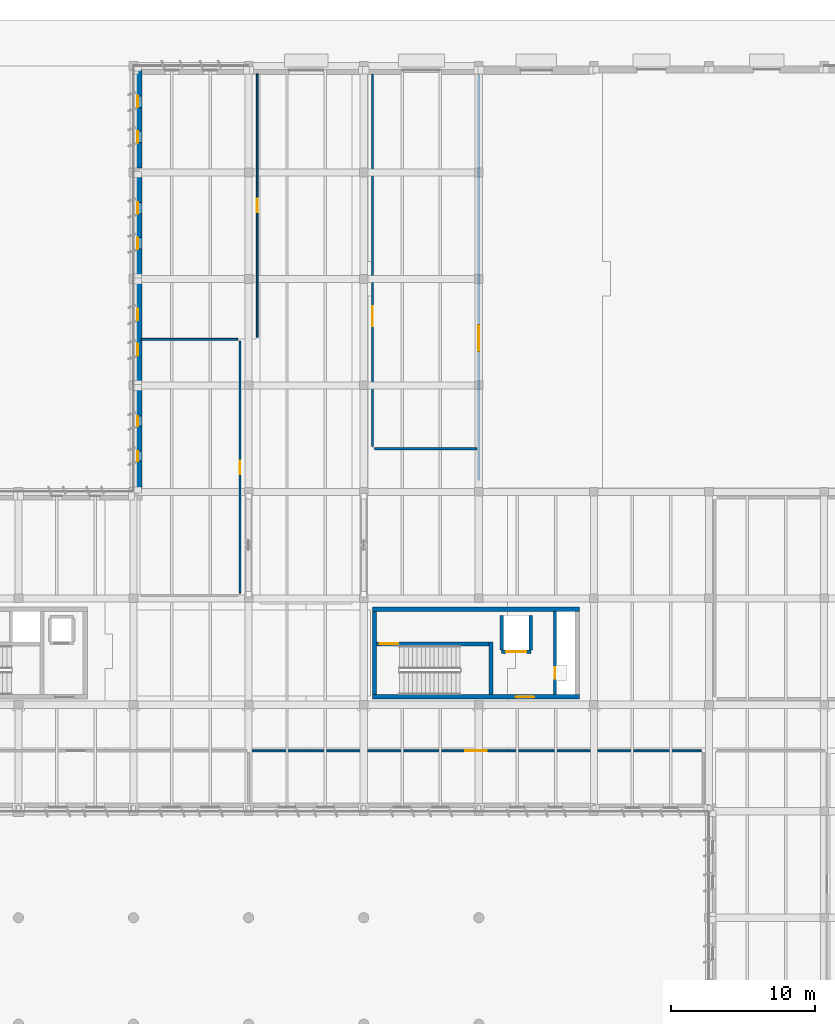
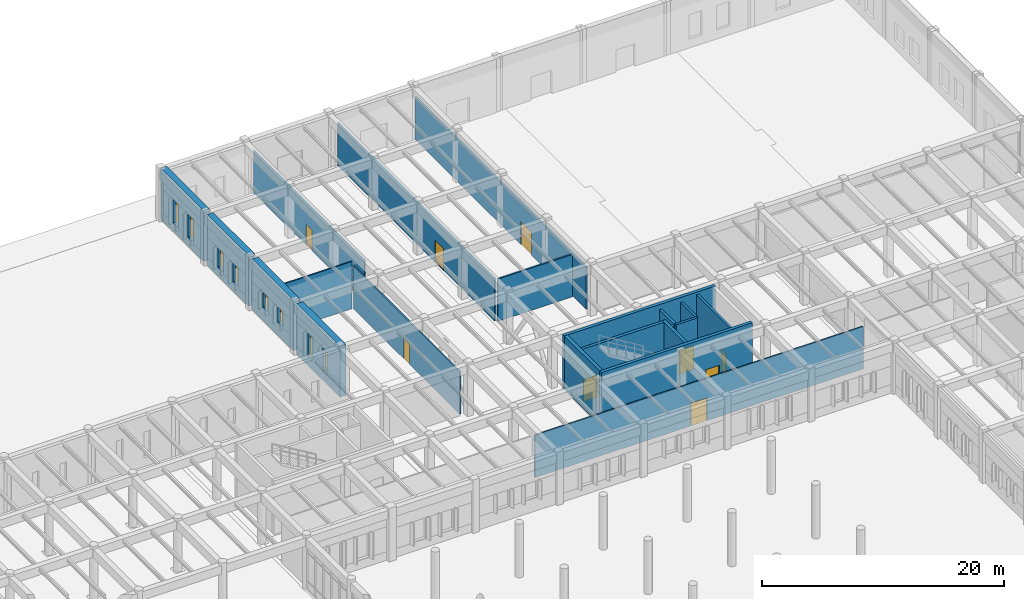
# One storey, part 26 of 56: 20 walls, 9 doors, 8 windows, 17 openings.
"""IFC4 building model written with IfcOpenShell, lengths in metres."""

from ifc_helpers import new_model, si_unit, direction, frame, frame_2d, origin, place, context, subcontext, project, spatial, rectangle, extrude, material, layer, layer_set, type_object, element, fill, save


model = new_model("IFC4")

# Units and contexts
model_context = context("Model", 3, precision=1e-05, world=origin(), true_north=direction((0.0, 1.0)))
body_context = subcontext(model_context, "Body", "Model", "MODEL_VIEW")
ifc_project = project(units=[si_unit("LENGTHUNIT", "METRE"), si_unit("AREAUNIT", "SQUARE_METRE"), si_unit("VOLUMEUNIT", "CUBIC_METRE"), si_unit("PLANEANGLEUNIT", "RADIAN"), si_unit("MASSUNIT", "GRAM", prefix="KILO")], contexts=[model_context])

# Site, building, storey
site_placement = place(None, origin())
site = spatial("IfcSite", under=ifc_project, at=site_placement, CompositionType="ELEMENT")
building_placement = place(site_placement, origin())
building = spatial("IfcBuilding", under=site, at=building_placement, Name="Valkorina Park Police Headquarters", CompositionType="ELEMENT")
storey_placement = place(building_placement, origin())
storey = spatial("IfcBuildingStorey", under=building, at=storey_placement, Name="L01", CompositionType="ELEMENT", Elevation=0.0)

# Wall
ifc_material_1 = material(Name="Acoustic mineral board")
ifc_layer_1 = layer(ifc_material_1, 0.14990234375)
ifc_layer_set_1 = layer_set([ifc_layer_1], Name="Acoustic mineral board")
wall_type_1 = type_object("IfcWallType", Name="WL-ACOUST-150-EI30", PredefinedType="PARTITIONING", material=ifc_layer_set_1)
wall_1_placement = place(storey_placement, frame((113.5400390625, 84.39990234375, 0.0), z_axis=(0.0, 0.0, 1.0), x_axis=(1.0, 0.0, 0.0)))
element("IfcWall", 1, at=wall_1_placement, inside=storey, type_object=wall_type_1, Name="L01 Interior Partition 0091 (L01-GYM-02)", PredefinedType="PARTITIONING", context=body_context, shape_type="SweptSolid", body=[
    extrude(rectangle(XDim=7.119873046875, YDim=0.14990234375, at=frame_2d((3.56005859375, 0.0))), origin(), (0.0, 0.0, 1.0), 4.27001953125),
])

# Wall, opening, door
wall_2_placement = place(storey_placement, frame((113.39990234375, 84.5400390625, 0.0), z_axis=(0.0, 0.0, 1.0), x_axis=(0.0, 1.0, 0.0)))
wall_2 = element("IfcWall", 2, at=wall_2_placement, inside=storey, type_object=wall_type_1, Name="L01 Interior Partition 0092 (L01-GYM-02)", PredefinedType="PARTITIONING", context=body_context, shape_type="SweptSolid", body=[
    extrude(rectangle(XDim=25.919921875, YDim=0.14990234375, at=frame_2d((12.9599609375, 0.0))), origin(), (0.0, 0.0, 1.0), 4.27001953125),
])
opening_1_placement = place(wall_2_placement, frame((8.3720703125, 0.0, 0.0)))
opening_1 = element("IfcOpeningElement", 3, at=opening_1_placement, cuts=wall_2, Name="Opening ID-07", PredefinedType="OPENING", context=body_context, shape_type="SweptSolid", body=[
    extrude(rectangle(XDim=1.39990234375, YDim=2.199951171875, at=frame_2d((0.699951171875, 1.10009765625))), frame((0.0, 0.0849609375, 0.0), z_axis=(0.0, -1.0, 0.0), x_axis=(1.0, 0.0, 0.0)), (0.0, 0.0, 1.0), 0.169921875),
])
ifc_material_2 = material(Name="Thermally broken aluminium AW-6060", Category="aluminium")
ifc_layer_2 = layer(ifc_material_2, 0.050048828125)
ifc_layer_set_2 = layer_set([ifc_layer_2], Name="Thermally broken aluminium AW-6060")
door_type_1 = type_object("IfcDoorType", Name="DR-INT-CONF-1400x2200", OperationType="NOTDEFINED", PredefinedType="DOOR", material=ifc_layer_set_2)
door_1_placement = place(opening_1_placement, origin())
door_1 = element("IfcDoor", 4, at=door_1_placement, inside=storey, type_object=door_type_1, Name="Door D-L01-I042 (L01-GYM-02)", OperationType="SINGLE_SWING_LEFT", OverallHeight=2.199951171875, OverallWidth=1.39990234375, PredefinedType="DOOR", context=body_context, shape_type="SweptSolid", body=[
    extrude(rectangle(XDim=1.39990234375, YDim=2.199951171875, at=frame_2d((0.699951171875, 1.10009765625))), frame((0.0, 0.02490234375, 0.0), z_axis=(0.0, -1.0, 0.0), x_axis=(1.0, 0.0, 0.0)), (0.0, 0.0, 1.0), 0.050048828125),
])
fill(opening_1, door_1)

ifc_layer_3 = layer(ifc_material_1, 0.175048828125)
ifc_layer_set_3 = layer_set([ifc_layer_3], Name="Acoustic mineral board")
wall_type_2 = type_object("IfcWallType", Name="WL-BRIEF-175-EI60", PredefinedType="PARTITIONING", material=ifc_layer_set_3)
wall_3_placement = place(storey_placement, frame((120.800048828125, 82.18994140625, 0.0), z_axis=(0.0, 0.0, 1.0), x_axis=(0.0, 1.0, 0.0)))
wall_3 = element("IfcWall", 5, at=wall_3_placement, inside=storey, type_object=wall_type_2, Name="L01 Interior Partition 0090 (L01-GYM-01)", PredefinedType="PARTITIONING", context=body_context, shape_type="SweptSolid", body=[
    extrude(rectangle(XDim=28.27001953125, YDim=0.175048828125, at=frame_2d((14.135009765625, 0.0))), origin(), (0.0, 0.0, 1.0), 4.27001953125),
])
opening_2_placement = place(wall_3_placement, frame((8.994384765625, 0.0, 0.0)))
opening_2 = element("IfcOpeningElement", 6, at=opening_2_placement, cuts=wall_3, Name="Opening ID-09", PredefinedType="OPENING", context=body_context, shape_type="SweptSolid", body=[
    extrude(rectangle(XDim=1.800048828125, YDim=2.300048828125, at=frame_2d((0.89990234375, 1.14990234375))), frame((0.0, 0.09765625, 0.0), z_axis=(0.0, -1.0, 0.0), x_axis=(1.0, 0.0, 0.0)), (0.0, 0.0, 1.0), 0.195068359375),
])
ifc_layer_4 = layer(ifc_material_2, 0.050048828125)
ifc_layer_set_4 = layer_set([ifc_layer_4], Name="Thermally broken aluminium AW-6060")
door_type_2 = type_object("IfcDoorType", Name="DR-INT-AUD-1800x2300", OperationType="NOTDEFINED", PredefinedType="DOOR", material=ifc_layer_set_4)
door_2_placement = place(opening_2_placement, origin())
door_2 = element("IfcDoor", 7, at=door_2_placement, inside=storey, type_object=door_type_2, Name="Door D-L01-I041 (L01-GYM-01)", OperationType="DOUBLE_DOOR_SINGLE_SWING", OverallHeight=2.300048828125, OverallWidth=1.800048828125, PredefinedType="DOOR", context=body_context, shape_type="SweptSolid", body=[
    extrude(rectangle(XDim=1.800048828125, YDim=2.300048828125, at=frame_2d((0.89990234375, 1.14990234375))), frame((0.0, 0.02490234375, 0.0), z_axis=(0.0, -1.0, 0.0), x_axis=(1.0, 0.0, 0.0)), (0.0, 0.0, 1.0), 0.050048828125),
])
fill(opening_2, door_2)

ifc_material_3 = material(Name="Autoclaved aerated concrete masonry", Category="masonry")
ifc_layer_5 = layer(ifc_material_3, 0.219970703125)
ifc_layer_set_5 = layer_set([ifc_layer_5], Name="Autoclaved aerated concrete masonry")
wall_type_3 = type_object("IfcWallType", Name="WL-CHASE-220-EI60", PredefinedType="PLUMBINGWALL", material=ifc_layer_set_5)
wall_4_placement = place(storey_placement, frame((122.389892578125, 70.2900390625, 0.0), z_axis=(0.0, 0.0, 1.0), x_axis=(1.0, 0.0, 0.0)))
wall_4 = element("IfcWall", 8, at=wall_4_placement, inside=storey, type_object=wall_type_3, Name="Lift LF-07 L01 Shaft Front Wall", PredefinedType="PLUMBINGWALL", context=body_context, shape_type="SweptSolid", body=[
    extrude(rectangle(XDim=2.02001953125, YDim=0.219970703125, at=frame_2d((1.010009765625, 0.0))), origin(), (0.0, 0.0, 1.0), 5.139892578125),
])
opening_3_placement = place(wall_4_placement, frame((0.31005859375, 0.0, 0.0)))
opening_3 = element("IfcOpeningElement", 9, at=opening_3_placement, cuts=wall_4, Name="Opening LD-04", PredefinedType="OPENING", context=body_context, shape_type="SweptSolid", body=[
    extrude(rectangle(XDim=1.39990234375, YDim=2.39990234375, at=frame_2d((0.699951171875, 1.199951171875))), frame((0.0, 0.1201171875, 0.0), z_axis=(0.0, -1.0, 0.0), x_axis=(1.0, 0.0, 0.0)), (0.0, 0.0, 1.0), 0.239990234375),
])
ifc_material_4 = material(Name="Stainless steel EN 1.4404", Category="steel")
ifc_layer_6 = layer(ifc_material_4, 0.050048828125)
ifc_layer_set_6 = layer_set([ifc_layer_6], Name="Stainless steel EN 1.4404")
door_type_3 = type_object("IfcDoorType", Name="DR-LIFT-GOODS-1400x2400", OperationType="NOTDEFINED", PredefinedType="DOOR", material=ifc_layer_set_6)
door_3_placement = place(opening_3_placement, origin())
door_3 = element("IfcDoor", 10, at=door_3_placement, inside=storey, type_object=door_type_3, Name="Lift Landing Door LF-07-L01", OperationType="DOUBLE_DOOR_SLIDING", OverallHeight=2.39990234375, OverallWidth=1.39990234375, PredefinedType="DOOR", context=body_context, shape_type="SweptSolid", body=[
    extrude(rectangle(XDim=1.39990234375, YDim=2.39990234375, at=frame_2d((0.699951171875, 1.199951171875))), frame((0.0, 0.02490234375, 0.0), z_axis=(0.0, -1.0, 0.0), x_axis=(1.0, 0.0, 0.0)), (0.0, 0.0, 1.0), 0.050048828125),
])
fill(opening_3, door_3)

# Walls
for number, where, z_axis, x_axis, name in (
    (11, (122.389892578125, 70.39990234375, 0.0), (0.0, 0.0, 1.0), (0.0, 1.0, 0.0), "Lift LF-07 L01 Shaft Side Wall W"),
    (12, (124.409912109375, 70.39990234375, 0.0), (0.0, 0.0, 1.0), (0.0, 1.0, 0.0), "Lift LF-07 L01 Shaft Side Wall E"),
):
    element("IfcWall", number, at=place(storey_placement, frame(where, z_axis=z_axis, x_axis=x_axis)), inside=storey, type_object=wall_type_3, Name=name, PredefinedType="PLUMBINGWALL", context=body_context, shape_type="SweptSolid", body=[
        extrude(rectangle(XDim=2.400146484375, YDim=0.219970703125, at=frame_2d((1.2001953125, 0.0))), origin(), (0.0, 0.0, 1.0), 5.139892578125),
    ])

# Wall, opening, door
wall_5_placement = place(storey_placement, frame((126.090087890625, 67.300048828125, 0.0), z_axis=(0.0, 0.0, 1.0), x_axis=(0.0, 1.0, 0.0)))
wall_5 = element("IfcWall", 13, at=wall_5_placement, inside=storey, type_object=wall_type_3, Name="Core C5 L01 Riser Shaft West Wall", PredefinedType="PLUMBINGWALL", context=body_context, shape_type="SweptSolid", body=[
    extrude(rectangle(XDim=5.800048828125, YDim=0.219970703125, at=frame_2d((2.89990234375, 0.0))), origin(), (0.0, 0.0, 1.0), 5.139892578125),
])
opening_4_placement = place(wall_5_placement, frame((1.10009765625, 0.0, 0.0)))
opening_4 = element("IfcOpeningElement", 14, at=opening_4_placement, cuts=wall_5, Name="Opening ID-01", PredefinedType="OPENING", context=body_context, shape_type="SweptSolid", body=[
    extrude(rectangle(XDim=0.800048828125, YDim=2.10009765625, at=frame_2d((0.39990234375, 1.050048828125))), frame((0.0, 0.1201171875, 0.0), z_axis=(0.0, -1.0, 0.0), x_axis=(1.0, 0.0, 0.0)), (0.0, 0.0, 1.0), 0.239990234375),
])
ifc_material_5 = material(Name="Galvanized steel door leaf", Category="steel")
ifc_layer_7 = layer(ifc_material_5, 0.050048828125)
ifc_layer_set_7 = layer_set([ifc_layer_7], Name="Galvanized steel door leaf")
door_type_4 = type_object("IfcDoorType", Name="DR-INT-RISER-800x2100", OperationType="NOTDEFINED", PredefinedType="DOOR", material=ifc_layer_set_7)
door_4_placement = place(opening_4_placement, origin())
door_4 = element("IfcDoor", 15, at=door_4_placement, inside=storey, type_object=door_type_4, Name="Riser Shaft Access Door C5-L01", OperationType="SINGLE_SWING_RIGHT", OverallHeight=2.10009765625, OverallWidth=0.800048828125, PredefinedType="DOOR", context=body_context, shape_type="SweptSolid", body=[
    extrude(rectangle(XDim=0.800048828125, YDim=2.10009765625, at=frame_2d((0.39990234375, 1.050048828125))), frame((0.0, 0.02490234375, 0.0), z_axis=(0.0, -1.0, 0.0), x_axis=(1.0, 0.0, 0.0)), (0.0, 0.0, 1.0), 0.050048828125),
])
fill(opening_4, door_4)

ifc_material_6 = material(Name="Concrete C40/50", Category="concrete")
ifc_layer_8 = layer(ifc_material_6, 0.300048828125)
ifc_layer_set_8 = layer_set([ifc_layer_8], Name="Concrete C40/50")
wall_type_4 = type_object("IfcWallType", Name="WL-CORE-300-REI120", PredefinedType="SHEAR", material=ifc_layer_set_8)
wall_6_placement = place(storey_placement, frame((113.39990234375, 67.14990234375, 0.0), z_axis=(0.0, 0.0, 1.0), x_axis=(1.0, 0.0, 0.0)))
wall_6 = element("IfcWall", 16, at=wall_6_placement, inside=storey, type_object=wall_type_4, Name="Core C5 L01 Shear Wall S", PredefinedType="SHEAR", context=body_context, shape_type="SweptSolid", body=[
    extrude(rectangle(XDim=14.400146484375, YDim=0.300048828125, at=frame_2d((7.2001953125, 0.0))), origin(), (0.0, 0.0, 1.0), 5.39501953125),
])
opening_5_placement = place(wall_6_placement, frame((9.949951171875, 0.0, 0.0)))
opening_5 = element("IfcOpeningElement", 17, at=opening_5_placement, cuts=wall_6, Name="Opening FD-03", PredefinedType="OPENING", context=body_context, shape_type="SweptSolid", body=[
    extrude(rectangle(XDim=1.300048828125, YDim=2.199951171875, at=frame_2d((0.64990234375, 1.10009765625))), frame((0.0, 0.16015625, 0.0), z_axis=(0.0, -1.0, 0.0), x_axis=(1.0, 0.0, 0.0)), (0.0, 0.0, 1.0), 0.320068359375),
])
ifc_layer_9 = layer(ifc_material_5, 0.050048828125)
ifc_layer_set_9 = layer_set([ifc_layer_9], Name="Galvanized steel door leaf")
door_type_5 = type_object("IfcDoorType", Name="DR-FIRE-STAIR-1300x2200", OperationType="NOTDEFINED", PredefinedType="DOOR", material=ifc_layer_set_9)
door_5_placement = place(opening_5_placement, origin())
door_5 = element("IfcDoor", 18, at=door_5_placement, inside=storey, type_object=door_type_5, Name="Door D-L01-LBY-C5 (Core C5 Lobby Fire Door)", OperationType="SINGLE_SWING_LEFT", OverallHeight=2.199951171875, OverallWidth=1.300048828125, PredefinedType="DOOR", context=body_context, shape_type="SweptSolid", body=[
    extrude(rectangle(XDim=1.300048828125, YDim=2.199951171875, at=frame_2d((0.64990234375, 1.10009765625))), frame((0.0, 0.02490234375, 0.0), z_axis=(0.0, -1.0, 0.0), x_axis=(1.0, 0.0, 0.0)), (0.0, 0.0, 1.0), 0.050048828125),
])
fill(opening_5, door_5)

# Walls
wall_7_placement = place(storey_placement, frame((113.39990234375, 73.25, 0.0), z_axis=(0.0, 0.0, 1.0), x_axis=(1.0, 0.0, 0.0)))
element("IfcWall", 19, at=wall_7_placement, inside=storey, type_object=wall_type_4, Name="Core C5 L01 Shear Wall N", PredefinedType="SHEAR", context=body_context, shape_type="SweptSolid", body=[
    extrude(rectangle(XDim=14.400146484375, YDim=0.300048828125, at=frame_2d((7.2001953125, 0.0))), origin(), (0.0, 0.0, 1.0), 5.39501953125),
])
wall_8_placement = place(storey_placement, frame((113.550048828125, 67.300048828125, 0.0), z_axis=(0.0, 0.0, 1.0), x_axis=(0.0, 1.0, 0.0)))
element("IfcWall", 20, at=wall_8_placement, inside=storey, type_object=wall_type_4, Name="Core C5 L01 Shear Wall W", PredefinedType="SHEAR", context=body_context, shape_type="SweptSolid", body=[
    extrude(rectangle(XDim=5.800048828125, YDim=0.300048828125, at=frame_2d((2.89990234375, 0.0))), origin(), (0.0, 0.0, 1.0), 5.39501953125),
])

# Wall, openings, windows
ifc_material_7 = material(Name="Concrete C35/45", Category="concrete")
ifc_layer_10 = layer(ifc_material_7, 0.580078125)
ifc_layer_set_10 = layer_set([ifc_layer_10], Name="Concrete C35/45")
wall_type_5 = type_object("IfcWallType", Name="WL-EXT-BOARD-580", PredefinedType="STANDARD", material=ifc_layer_set_10)
wall_9_placement = place(storey_placement, frame((97.090087890625, 81.39990234375, 0.0), z_axis=(0.0, 0.0, 1.0), x_axis=(0.0, 1.0, 0.0)))
wall_9 = element("IfcWall", 21, at=wall_9_placement, inside=storey, type_object=wall_type_5, Name="L01 Architectural Concrete Exterior Wall 0040", PredefinedType="STANDARD", context=body_context, shape_type="SweptSolid", body=[
    extrude(rectangle(XDim=7.090087890625, YDim=0.580078125, at=frame_2d((3.544921875, 0.0))), origin(), (0.0, 0.0, 1.0), 5.139892578125),
])
opening_6_placement = place(wall_9_placement, frame((2.129638671875, 0.0, 0.89990234375)))
opening_6 = element("IfcOpeningElement", 22, at=opening_6_placement, cuts=wall_9, Name="Opening WN-09", PredefinedType="OPENING", context=body_context, shape_type="SweptSolid", body=[
    extrude(rectangle(XDim=0.699951171875, YDim=2.39990234375, at=frame_2d((0.35009765625, 1.199951171875))), frame((0.0, 0.300048828125, 0.0), z_axis=(0.0, -1.0, 0.0), x_axis=(1.0, 0.0, 0.0)), (0.0, 0.0, 1.0), 0.60009765625),
])
opening_7_placement = place(wall_9_placement, frame((4.5703125, 0.0, 0.89990234375)))
opening_7 = element("IfcOpeningElement", 23, at=opening_7_placement, cuts=wall_9, Name="Opening WN-09", PredefinedType="OPENING", context=body_context, shape_type="SweptSolid", body=[
    extrude(rectangle(XDim=0.699951171875, YDim=2.39990234375, at=frame_2d((0.35009765625, 1.199951171875))), frame((0.0, 0.300048828125, 0.0), z_axis=(0.0, -1.0, 0.0), x_axis=(1.0, 0.0, 0.0)), (0.0, 0.0, 1.0), 0.60009765625),
])
ifc_material_8 = material(Name="Triple low-E insulated glazing", Category="glass")
ifc_layer_11 = layer(ifc_material_8, 0.06005859375)
ifc_layer_set_11 = layer_set([ifc_layer_11], Name="Triple low-E insulated glazing")
window_type_1 = type_object("IfcWindowType", Name="WN-SLOT-700x2400", PartitioningType="SINGLE_PANEL", PredefinedType="WINDOW", material=ifc_layer_set_11)
window_1_placement = place(opening_6_placement, origin())
window_1 = element("IfcWindow", 24, at=window_1_placement, inside=storey, type_object=window_type_1, Name="Window L01-0069", OverallHeight=2.39990234375, OverallWidth=0.699951171875, PartitioningType="SINGLE_PANEL", PredefinedType="WINDOW", context=body_context, shape_type="SweptSolid", body=[
    extrude(rectangle(XDim=0.699951171875, YDim=2.39990234375, at=frame_2d((0.35009765625, 1.199951171875))), frame((0.0, 0.030029296875, 0.0), z_axis=(0.0, -1.0, 0.0), x_axis=(1.0, 0.0, 0.0)), (0.0, 0.0, 1.0), 0.06005859375),
])
fill(opening_6, window_1)
window_2_placement = place(opening_7_placement, origin())
window_2 = element("IfcWindow", 25, at=window_2_placement, inside=storey, type_object=window_type_1, Name="Window L01-0070", OverallHeight=2.39990234375, OverallWidth=0.699951171875, PartitioningType="SINGLE_PANEL", PredefinedType="WINDOW", context=body_context, shape_type="SweptSolid", body=[
    extrude(rectangle(XDim=0.699951171875, YDim=2.39990234375, at=frame_2d((0.35009765625, 1.199951171875))), frame((0.0, 0.030029296875, 0.0), z_axis=(0.0, -1.0, 0.0), x_axis=(1.0, 0.0, 0.0)), (0.0, 0.0, 1.0), 0.06005859375),
])
fill(opening_7, window_2)

wall_10_placement = place(storey_placement, frame((97.090087890625, 89.110107421875, 0.0), z_axis=(0.0, 0.0, 1.0), x_axis=(0.0, 1.0, 0.0)))
wall_10 = element("IfcWall", 26, at=wall_10_placement, inside=storey, type_object=wall_type_5, Name="L01 Architectural Concrete Exterior Wall 0041", PredefinedType="STANDARD", context=body_context, shape_type="SweptSolid", body=[
    extrude(rectangle(XDim=6.77978515625, YDim=0.580078125, at=frame_2d((3.389892578125, 0.0))), origin(), (0.0, 0.0, 1.0), 5.139892578125),
])
opening_8_placement = place(wall_10_placement, frame((1.76953125, 0.0, 1.35009765625)))
opening_8 = element("IfcOpeningElement", 27, at=opening_8_placement, cuts=wall_10, Name="Opening WN-10", PredefinedType="OPENING", context=body_context, shape_type="SweptSolid", body=[
    extrude(rectangle(XDim=0.800048828125, YDim=1.550048828125, at=frame_2d((0.39990234375, 0.77490234375))), frame((0.0, 0.300048828125, 0.0), z_axis=(0.0, -1.0, 0.0), x_axis=(1.0, 0.0, 0.0)), (0.0, 0.0, 1.0), 0.60009765625),
])
opening_9_placement = place(wall_10_placement, frame((4.21044921875, 0.0, 1.35009765625)))
opening_9 = element("IfcOpeningElement", 28, at=opening_9_placement, cuts=wall_10, Name="Opening WN-10", PredefinedType="OPENING", context=body_context, shape_type="SweptSolid", body=[
    extrude(rectangle(XDim=0.800048828125, YDim=1.550048828125, at=frame_2d((0.39990234375, 0.77490234375))), frame((0.0, 0.300048828125, 0.0), z_axis=(0.0, -1.0, 0.0), x_axis=(1.0, 0.0, 0.0)), (0.0, 0.0, 1.0), 0.60009765625),
])
ifc_layer_12 = layer(ifc_material_8, 0.06005859375)
ifc_layer_set_12 = layer_set([ifc_layer_12], Name="Triple low-E insulated glazing")
window_type_2 = type_object("IfcWindowType", Name="WN-SLOT-800x1550", PartitioningType="SINGLE_PANEL", PredefinedType="WINDOW", material=ifc_layer_set_12)
window_3_placement = place(opening_8_placement, origin())
window_3 = element("IfcWindow", 29, at=window_3_placement, inside=storey, type_object=window_type_2, Name="Window L01-0071", OverallHeight=1.550048828125, OverallWidth=0.800048828125, PartitioningType="SINGLE_PANEL", PredefinedType="WINDOW", context=body_context, shape_type="SweptSolid", body=[
    extrude(rectangle(XDim=0.800048828125, YDim=1.550048828125, at=frame_2d((0.39990234375, 0.77490234375))), frame((0.0, 0.030029296875, 0.0), z_axis=(0.0, -1.0, 0.0), x_axis=(1.0, 0.0, 0.0)), (0.0, 0.0, 1.0), 0.06005859375),
])
fill(opening_8, window_3)
window_4_placement = place(opening_9_placement, origin())
window_4 = element("IfcWindow", 30, at=window_4_placement, inside=storey, type_object=window_type_2, Name="Window L01-0072", OverallHeight=1.550048828125, OverallWidth=0.800048828125, PartitioningType="SINGLE_PANEL", PredefinedType="WINDOW", context=body_context, shape_type="SweptSolid", body=[
    extrude(rectangle(XDim=0.800048828125, YDim=1.550048828125, at=frame_2d((0.39990234375, 0.77490234375))), frame((0.0, 0.030029296875, 0.0), z_axis=(0.0, -1.0, 0.0), x_axis=(1.0, 0.0, 0.0)), (0.0, 0.0, 1.0), 0.06005859375),
])
fill(opening_9, window_4)

wall_11_placement = place(storey_placement, frame((97.090087890625, 96.510009765625, 0.0), z_axis=(0.0, 0.0, 1.0), x_axis=(0.0, 1.0, 0.0)))
wall_11 = element("IfcWall", 31, at=wall_11_placement, inside=storey, type_object=wall_type_5, Name="L01 Architectural Concrete Exterior Wall 0042", PredefinedType="STANDARD", context=body_context, shape_type="SweptSolid", body=[
    extrude(rectangle(XDim=6.780029296875, YDim=0.580078125, at=frame_2d((3.39013671875, 0.0))), origin(), (0.0, 0.0, 1.0), 5.139892578125),
])
opening_10_placement = place(wall_11_placement, frame((1.76953125, 0.0, 0.89990234375)))
opening_10 = element("IfcOpeningElement", 32, at=opening_10_placement, cuts=wall_11, Name="Opening WN-11", PredefinedType="OPENING", context=body_context, shape_type="SweptSolid", body=[
    extrude(rectangle(XDim=0.800048828125, YDim=1.949951171875, at=frame_2d((0.39990234375, 0.97509765625))), frame((0.0, 0.300048828125, 0.0), z_axis=(0.0, -1.0, 0.0), x_axis=(1.0, 0.0, 0.0)), (0.0, 0.0, 1.0), 0.60009765625),
])
opening_11_placement = place(wall_11_placement, frame((4.21044921875, 0.0, 0.89990234375)))
opening_11 = element("IfcOpeningElement", 33, at=opening_11_placement, cuts=wall_11, Name="Opening WN-11", PredefinedType="OPENING", context=body_context, shape_type="SweptSolid", body=[
    extrude(rectangle(XDim=0.800048828125, YDim=1.949951171875, at=frame_2d((0.39990234375, 0.97509765625))), frame((0.0, 0.300048828125, 0.0), z_axis=(0.0, -1.0, 0.0), x_axis=(1.0, 0.0, 0.0)), (0.0, 0.0, 1.0), 0.60009765625),
])
ifc_layer_13 = layer(ifc_material_8, 0.06005859375)
ifc_layer_set_13 = layer_set([ifc_layer_13], Name="Triple low-E insulated glazing")
window_type_3 = type_object("IfcWindowType", Name="WN-SLOT-800x1950", PartitioningType="SINGLE_PANEL", PredefinedType="WINDOW", material=ifc_layer_set_13)
window_5_placement = place(opening_10_placement, origin())
window_5 = element("IfcWindow", 34, at=window_5_placement, inside=storey, type_object=window_type_3, Name="Window L01-0073", OverallHeight=1.949951171875, OverallWidth=0.800048828125, PartitioningType="SINGLE_PANEL", PredefinedType="WINDOW", context=body_context, shape_type="SweptSolid", body=[
    extrude(rectangle(XDim=0.800048828125, YDim=1.949951171875, at=frame_2d((0.39990234375, 0.97509765625))), frame((0.0, 0.030029296875, 0.0), z_axis=(0.0, -1.0, 0.0), x_axis=(1.0, 0.0, 0.0)), (0.0, 0.0, 1.0), 0.06005859375),
])
fill(opening_10, window_5)
window_6_placement = place(opening_11_placement, origin())
window_6 = element("IfcWindow", 35, at=window_6_placement, inside=storey, type_object=window_type_3, Name="Window L01-0074", OverallHeight=1.949951171875, OverallWidth=0.800048828125, PartitioningType="SINGLE_PANEL", PredefinedType="WINDOW", context=body_context, shape_type="SweptSolid", body=[
    extrude(rectangle(XDim=0.800048828125, YDim=1.949951171875, at=frame_2d((0.39990234375, 0.97509765625))), frame((0.0, 0.030029296875, 0.0), z_axis=(0.0, -1.0, 0.0), x_axis=(1.0, 0.0, 0.0)), (0.0, 0.0, 1.0), 0.06005859375),
])
fill(opening_11, window_6)

wall_12_placement = place(storey_placement, frame((97.090087890625, 103.909912109375, 0.0), z_axis=(0.0, 0.0, 1.0), x_axis=(0.0, 1.0, 0.0)))
wall_12 = element("IfcWall", 36, at=wall_12_placement, inside=storey, type_object=wall_type_5, Name="L01 Architectural Concrete Exterior Wall 0043", PredefinedType="STANDARD", context=body_context, shape_type="SweptSolid", body=[
    extrude(rectangle(XDim=7.090087890625, YDim=0.580078125, at=frame_2d((3.544921875, 0.0))), origin(), (0.0, 0.0, 1.0), 5.139892578125),
])
opening_12_placement = place(wall_12_placement, frame((1.76953125, 0.0, 0.89990234375)))
opening_12 = element("IfcOpeningElement", 37, at=opening_12_placement, cuts=wall_12, Name="Opening WN-12", PredefinedType="OPENING", context=body_context, shape_type="SweptSolid", body=[
    extrude(rectangle(XDim=0.800048828125, YDim=2.35009765625, at=frame_2d((0.39990234375, 1.175048828125))), frame((0.0, 0.300048828125, 0.0), z_axis=(0.0, -1.0, 0.0), x_axis=(1.0, 0.0, 0.0)), (0.0, 0.0, 1.0), 0.60009765625),
])
opening_13_placement = place(wall_12_placement, frame((4.21044921875, 0.0, 0.89990234375)))
opening_13 = element("IfcOpeningElement", 38, at=opening_13_placement, cuts=wall_12, Name="Opening WN-12", PredefinedType="OPENING", context=body_context, shape_type="SweptSolid", body=[
    extrude(rectangle(XDim=0.800048828125, YDim=2.35009765625, at=frame_2d((0.39990234375, 1.175048828125))), frame((0.0, 0.300048828125, 0.0), z_axis=(0.0, -1.0, 0.0), x_axis=(1.0, 0.0, 0.0)), (0.0, 0.0, 1.0), 0.60009765625),
])
ifc_layer_14 = layer(ifc_material_8, 0.06005859375)
ifc_layer_set_14 = layer_set([ifc_layer_14], Name="Triple low-E insulated glazing")
window_type_4 = type_object("IfcWindowType", Name="WN-SLOT-800x2350", PartitioningType="SINGLE_PANEL", PredefinedType="WINDOW", material=ifc_layer_set_14)
window_7_placement = place(opening_12_placement, origin())
window_7 = element("IfcWindow", 39, at=window_7_placement, inside=storey, type_object=window_type_4, Name="Window L01-0075", OverallHeight=2.35009765625, OverallWidth=0.800048828125, PartitioningType="SINGLE_PANEL", PredefinedType="WINDOW", context=body_context, shape_type="SweptSolid", body=[
    extrude(rectangle(XDim=0.800048828125, YDim=2.35009765625, at=frame_2d((0.39990234375, 1.175048828125))), frame((0.0, 0.030029296875, 0.0), z_axis=(0.0, -1.0, 0.0), x_axis=(1.0, 0.0, 0.0)), (0.0, 0.0, 1.0), 0.06005859375),
])
fill(opening_12, window_7)
window_8_placement = place(opening_13_placement, origin())
window_8 = element("IfcWindow", 40, at=window_8_placement, inside=storey, type_object=window_type_4, Name="Window L01-0076", OverallHeight=2.35009765625, OverallWidth=0.800048828125, PartitioningType="SINGLE_PANEL", PredefinedType="WINDOW", context=body_context, shape_type="SweptSolid", body=[
    extrude(rectangle(XDim=0.800048828125, YDim=2.35009765625, at=frame_2d((0.39990234375, 1.175048828125))), frame((0.0, 0.030029296875, 0.0), z_axis=(0.0, -1.0, 0.0), x_axis=(1.0, 0.0, 0.0)), (0.0, 0.0, 1.0), 0.06005859375),
])
fill(opening_13, window_8)

# Wall, opening, door
ifc_material_9 = material(Name="Gypsum plasterboard")
ifc_layer_15 = layer(ifc_material_9, 0.125)
ifc_layer_set_15 = layer_set([ifc_layer_15], Name="Gypsum plasterboard")
wall_type_6 = type_object("IfcWallType", Name="WL-PART-125-EI30", PredefinedType="PARTITIONING", material=ifc_layer_set_15)
wall_13_placement = place(storey_placement, frame((104.93994140625, 63.39990234375, 0.0), z_axis=(0.0, 0.0, 1.0), x_axis=(1.0, 0.0, 0.0)))
wall_13 = element("IfcWall", 41, at=wall_13_placement, inside=storey, type_object=wall_type_6, Name="L01 Interior Partition 0087 (L01-CMD-02)", PredefinedType="PARTITIONING", context=body_context, shape_type="SweptSolid", body=[
    extrude(rectangle(XDim=31.320068359375, YDim=0.125, at=frame_2d((15.66015625, 0.0))), origin(), (0.0, 0.0, 1.0), 4.27001953125),
])
opening_14_placement = place(wall_13_placement, frame((14.909912109375, 0.0, 0.0)))
opening_14 = element("IfcOpeningElement", 42, at=opening_14_placement, cuts=wall_13, Name="Opening ID-08", PredefinedType="OPENING", context=body_context, shape_type="SweptSolid", body=[
    extrude(rectangle(XDim=1.5, YDim=2.300048828125, at=frame_2d((0.75, 1.14990234375))), frame((0.0, 0.072509765625, 0.0), z_axis=(0.0, -1.0, 0.0), x_axis=(1.0, 0.0, 0.0)), (0.0, 0.0, 1.0), 0.14501953125),
])
ifc_layer_16 = layer(ifc_material_5, 0.050048828125)
ifc_layer_set_16 = layer_set([ifc_layer_16], Name="Galvanized steel door leaf")
door_type_6 = type_object("IfcDoorType", Name="DR-INT-EQP-1500x2300", OperationType="NOTDEFINED", PredefinedType="DOOR", material=ifc_layer_set_16)
door_6_placement = place(opening_14_placement, origin())
door_6 = element("IfcDoor", 43, at=door_6_placement, inside=storey, type_object=door_type_6, Name="Door D-L01-I040 (L01-CMD-02)", OperationType="SINGLE_SWING_LEFT", OverallHeight=2.300048828125, OverallWidth=1.5, PredefinedType="DOOR", context=body_context, shape_type="SweptSolid", body=[
    extrude(rectangle(XDim=1.5, YDim=2.300048828125, at=frame_2d((0.75, 1.14990234375))), frame((0.0, 0.02490234375, 0.0), z_axis=(0.0, -1.0, 0.0), x_axis=(1.0, 0.0, 0.0)), (0.0, 0.0, 1.0), 0.050048828125),
])
fill(opening_14, door_6)

# Wall
wall_14_placement = place(storey_placement, frame((97.340087890625, 92.0, 0.0), z_axis=(0.0, 0.0, 1.0), x_axis=(1.0, 0.0, 0.0)))
element("IfcWall", 44, at=wall_14_placement, inside=storey, type_object=wall_type_6, Name="L01 Interior Partition 0094 (L01-GYM-03)", PredefinedType="PARTITIONING", context=body_context, shape_type="SweptSolid", body=[
    extrude(rectangle(XDim=6.719970703125, YDim=0.125, at=frame_2d((3.35986328125, 0.0))), origin(), (0.0, 0.0, 1.0), 4.760009765625),
])

# Wall, opening, door
wall_15_placement = place(storey_placement, frame((104.199951171875, 74.340087890625, 0.0), z_axis=(0.0, 0.0, 1.0), x_axis=(0.0, 1.0, 0.0)))
wall_15 = element("IfcWall", 45, at=wall_15_placement, inside=storey, type_object=wall_type_6, Name="L01 Interior Partition 0095 (L01-GYM-03)", PredefinedType="PARTITIONING", context=body_context, shape_type="SweptSolid", body=[
    extrude(rectangle(XDim=17.52001953125, YDim=0.125, at=frame_2d((8.760009765625, 0.0))), origin(), (0.0, 0.0, 1.0), 4.27001953125),
])
opening_15_placement = place(wall_15_placement, frame((8.284912109375, 0.0, 0.0)))
opening_15 = element("IfcOpeningElement", 46, at=opening_15_placement, cuts=wall_15, Name="Opening ID-02", PredefinedType="OPENING", context=body_context, shape_type="SweptSolid", body=[
    extrude(rectangle(XDim=0.949951171875, YDim=2.10009765625, at=frame_2d((0.47509765625, 1.050048828125))), frame((0.0, 0.072509765625, 0.0), z_axis=(0.0, -1.0, 0.0), x_axis=(1.0, 0.0, 0.0)), (0.0, 0.0, 1.0), 0.14501953125),
])
ifc_layer_17 = layer(ifc_material_2, 0.050048828125)
ifc_layer_set_17 = layer_set([ifc_layer_17], Name="Thermally broken aluminium AW-6060")
door_type_7 = type_object("IfcDoorType", Name="DR-INT-WC-950x2100", OperationType="NOTDEFINED", PredefinedType="DOOR", material=ifc_layer_set_17)
door_7_placement = place(opening_15_placement, origin())
door_7 = element("IfcDoor", 47, at=door_7_placement, inside=storey, type_object=door_type_7, Name="Door D-L01-I043 (L01-GYM-03)", OperationType="SINGLE_SWING_RIGHT", OverallHeight=2.10009765625, OverallWidth=0.949951171875, PredefinedType="DOOR", context=body_context, shape_type="SweptSolid", body=[
    extrude(rectangle(XDim=0.949951171875, YDim=2.10009765625, at=frame_2d((0.47509765625, 1.050048828125))), frame((0.0, 0.02490234375, 0.0), z_axis=(0.0, -1.0, 0.0), x_axis=(1.0, 0.0, 0.0)), (0.0, 0.0, 1.0), 0.050048828125),
])
fill(opening_15, door_7)

wall_16_placement = place(storey_placement, frame((105.39990234375, 92.139892578125, 0.0), z_axis=(0.0, 0.0, 1.0), x_axis=(0.0, 1.0, 0.0)))
wall_16 = element("IfcWall", 48, at=wall_16_placement, inside=storey, type_object=wall_type_6, Name="L01 Interior Partition 0096 (L01-GYM-04)", PredefinedType="PARTITIONING", context=body_context, shape_type="SweptSolid", body=[
    extrude(rectangle(XDim=18.320068359375, YDim=0.125, at=frame_2d((9.16015625, 0.0))), origin(), (0.0, 0.0, 1.0), 4.27001953125),
])
opening_16_placement = place(wall_16_placement, frame((8.68505859375, 0.0, 0.0)))
opening_16 = element("IfcOpeningElement", 49, at=opening_16_placement, cuts=wall_16, Name="Opening ID-02", PredefinedType="OPENING", context=body_context, shape_type="SweptSolid", body=[
    extrude(rectangle(XDim=0.949951171875, YDim=2.10009765625, at=frame_2d((0.47509765625, 1.050048828125))), frame((0.0, 0.072509765625, 0.0), z_axis=(0.0, -1.0, 0.0), x_axis=(1.0, 0.0, 0.0)), (0.0, 0.0, 1.0), 0.14501953125),
])
door_8_placement = place(opening_16_placement, origin())
door_8 = element("IfcDoor", 50, at=door_8_placement, inside=storey, type_object=door_type_7, Name="Door D-L01-I044 (L01-GYM-04)", OperationType="SINGLE_SWING_LEFT", OverallHeight=2.10009765625, OverallWidth=0.949951171875, PredefinedType="DOOR", context=body_context, shape_type="SweptSolid", body=[
    extrude(rectangle(XDim=0.949951171875, YDim=2.10009765625, at=frame_2d((0.47509765625, 1.050048828125))), frame((0.0, 0.02490234375, 0.0), z_axis=(0.0, -1.0, 0.0), x_axis=(1.0, 0.0, 0.0)), (0.0, 0.0, 1.0), 0.050048828125),
])
fill(opening_16, door_8)

# Wall
ifc_layer_18 = layer(ifc_material_6, 0.280029296875)
ifc_layer_set_18 = layer_set([ifc_layer_18], Name="Concrete C40/50")
wall_type_7 = type_object("IfcWallType", Name="WL-STAIR-280-REI120", PredefinedType="SHEAR", material=ifc_layer_set_18)
wall_17_placement = place(storey_placement, frame((121.639892578125, 67.300048828125, 0.0), z_axis=(0.0, 0.0, 1.0), x_axis=(0.0, 1.0, 0.0)))
element("IfcWall", 51, at=wall_17_placement, inside=storey, type_object=wall_type_7, Name="Core C5 L01 Shear Wall DIV", PredefinedType="SHEAR", context=body_context, shape_type="SweptSolid", body=[
    extrude(rectangle(XDim=3.679931640625, YDim=0.280029296875, at=frame_2d((1.83984375, 0.0))), origin(), (0.0, 0.0, 1.0), 5.39501953125),
])

# Wall, opening, door
wall_18_placement = place(storey_placement, frame((113.699951171875, 70.840087890625, 0.0), z_axis=(0.0, 0.0, 1.0), x_axis=(1.0, 0.0, 0.0)))
wall_18 = element("IfcWall", 52, at=wall_18_placement, inside=storey, type_object=wall_type_7, Name="Core C5 L01 Shear Wall SIDE", PredefinedType="SHEAR", context=body_context, shape_type="SweptSolid", body=[
    extrude(rectangle(XDim=7.800048828125, YDim=0.280029296875, at=frame_2d((3.89990234375, 0.0))), origin(), (0.0, 0.0, 1.0), 5.39501953125),
])
opening_17_placement = place(wall_18_placement, frame((0.199951171875, 0.0, 0.0)))
opening_17 = element("IfcOpeningElement", 53, at=opening_17_placement, cuts=wall_18, Name="Opening FD-03", PredefinedType="OPENING", context=body_context, shape_type="SweptSolid", body=[
    extrude(rectangle(XDim=1.300048828125, YDim=2.199951171875, at=frame_2d((0.64990234375, 1.10009765625))), frame((0.0, 0.14990234375, 0.0), z_axis=(0.0, -1.0, 0.0), x_axis=(1.0, 0.0, 0.0)), (0.0, 0.0, 1.0), 0.300048828125),
])
door_9_placement = place(opening_17_placement, origin())
door_9 = element("IfcDoor", 54, at=door_9_placement, inside=storey, type_object=door_type_5, Name="Door D-L01-C143 (ST-05 Stair Fire Door)", OperationType="SINGLE_SWING_RIGHT", OverallHeight=2.199951171875, OverallWidth=1.300048828125, PredefinedType="DOOR", context=body_context, shape_type="SweptSolid", body=[
    extrude(rectangle(XDim=1.300048828125, YDim=2.199951171875, at=frame_2d((0.64990234375, 1.10009765625))), frame((0.0, 0.02490234375, 0.0), z_axis=(0.0, -1.0, 0.0), x_axis=(1.0, 0.0, 0.0)), (0.0, 0.0, 1.0), 0.050048828125),
])
fill(opening_17, door_9)

save(model, "model.ifc")
